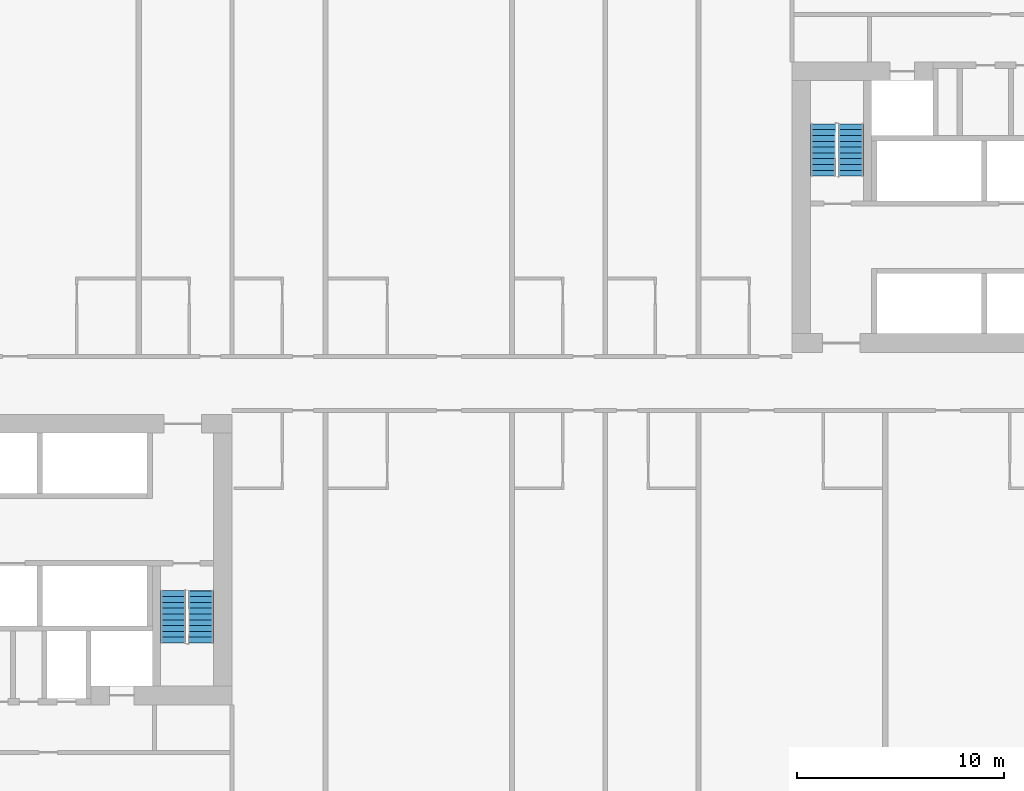
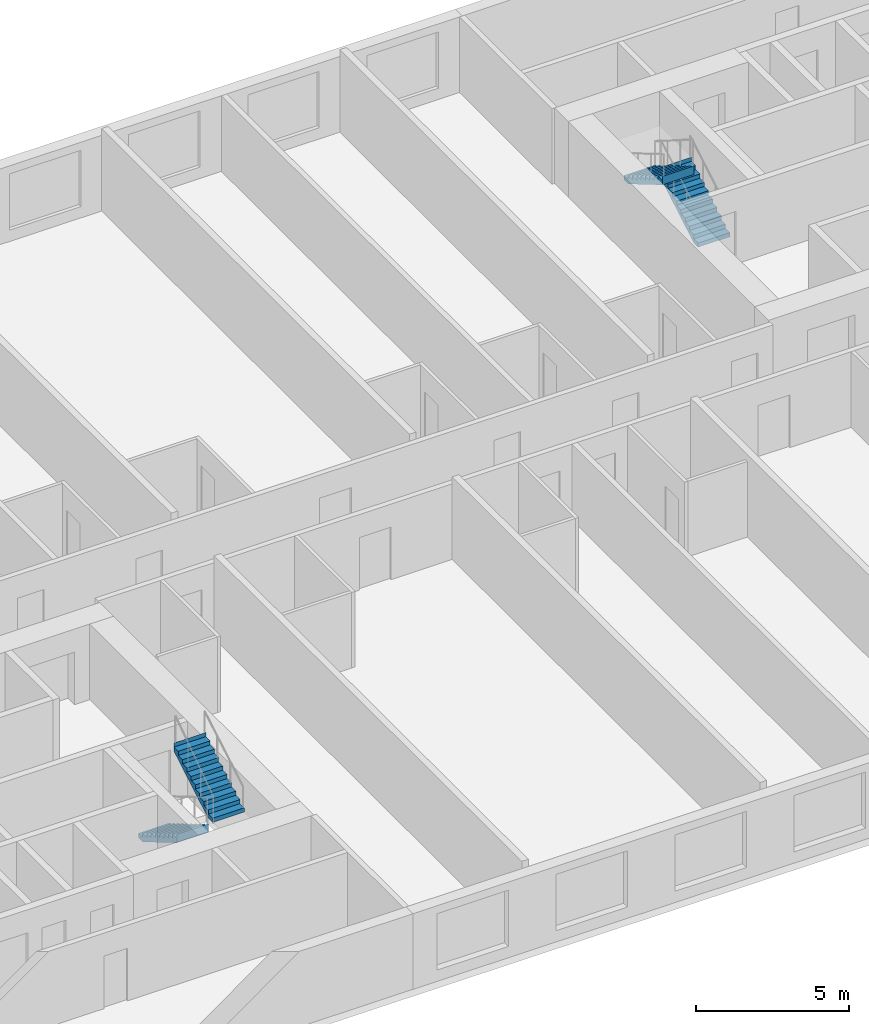
# One storey, part 10 of 12: 4 stair flights, 2 elements without a shape of their own.
"""IFC4 building model written with IfcOpenShell, lengths in metres."""

import ifcopenshell
import ifcopenshell.guid

model = None  # the IFC model being written
_history = None  # IfcOwnerHistory: only IFC2X3 demands one
_inside = {}  # id of a spatial element -> (the spatial element, [elements in it])
_under = {}  # id of a project, library or spatial element -> (it, [spatial elements below it])
_declared = {}  # id of a project -> (the project, [libraries it declares])
_typed = {}  # id of a type object -> (the type object, [elements of that type])
_made_of = {}  # id of a material, layer set ... -> (it, [elements and type objects made of it])


def new_model(schema):
    """Start an empty IFC model of exactly this schema.

    Asked for "IFC4X3", IfcOpenShell would pick the latest addendum, in which some entities
    have other attributes; the version numbers below select the first issue.
    IFC2X3 requires an IfcOwnerHistory on every rooted entity: one is made here for all.
    """
    global model, _history
    if schema == "IFC4X3":
        model = ifcopenshell.file(schema_version=(4, 3, 0, 0))
    else:
        model = ifcopenshell.file(schema=schema)
    _inside.clear()
    _under.clear()
    _declared.clear()
    _typed.clear()
    _made_of.clear()
    _history = None
    if model.schema == "IFC2X3":
        org = make("IfcOrganization", Name="unknown")
        user = make(
            "IfcPersonAndOrganization",
            ThePerson=make("IfcPerson", FamilyName="unknown"),
            TheOrganization=org,
        )
        app = make(
            "IfcApplication",
            ApplicationDeveloper=org,
            Version="unknown",
            ApplicationFullName="unknown",
            ApplicationIdentifier="unknown",
        )
        _history = make(
            "IfcOwnerHistory",
            OwningUser=user,
            OwningApplication=app,
            ChangeAction="ADDED",
            CreationDate=0,
        )
    return model


def make(cls, **values):
    """One entity of the class cls with the attributes given. An attribute that is None is left unset."""
    return model.create_entity(
        cls, **{name: value for name, value in values.items() if value is not None}
    )


def rooted(cls, **values):
    """An entity with a GlobalId (a new one), such as an element, a storey or a relation."""
    return make(cls, GlobalId=ifcopenshell.guid.new(), OwnerHistory=_history, **values)


def si_unit(unit_type, name, prefix=None):
    """IfcSIUnit, for example si_unit("LENGTHUNIT", "METRE", prefix="MILLI")."""
    return make("IfcSIUnit", UnitType=unit_type, Prefix=prefix, Name=name)


def assignment(units):
    """IfcUnitAssignment: the units of a project."""
    return None if units is None else make("IfcUnitAssignment", Units=units)


def point(xyz):
    """IfcCartesianPoint."""
    return None if xyz is None else make("IfcCartesianPoint", Coordinates=xyz)


def direction(xyz):
    """IfcDirection."""
    return None if xyz is None else make("IfcDirection", DirectionRatios=xyz)


def frame(location, z_axis=None, x_axis=None):
    """IfcAxis2Placement3D, a coordinate frame: its origin and axes. An axis left out is left unset."""
    return make(
        "IfcAxis2Placement3D",
        Location=point(location),
        Axis=direction(z_axis),
        RefDirection=direction(x_axis),
    )


def origin():
    """The frame at (0, 0, 0) with its axes left unset."""
    return frame((0.0, 0.0, 0.0))


def place(relative_to, where):
    """IfcLocalPlacement: puts the frame where relative to a parent placement (None: the world)."""
    return make(
        "IfcLocalPlacement", PlacementRelTo=relative_to, RelativePlacement=where
    )


def context(
    kind, dimensions, precision=None, world=None, true_north=None, identifier=None
):
    """IfcGeometricRepresentationContext, for example the 3D "Model" context."""
    return make(
        "IfcGeometricRepresentationContext",
        ContextIdentifier=identifier,
        ContextType=kind,
        CoordinateSpaceDimension=dimensions,
        Precision=precision,
        WorldCoordinateSystem=world,
        TrueNorth=true_north,
    )


def subcontext(parent, identifier, kind, view, scale=None):
    """IfcGeometricRepresentationSubContext, for example "Body" below "Model"."""
    return make(
        "IfcGeometricRepresentationSubContext",
        ContextIdentifier=identifier,
        ContextType=kind,
        ParentContext=parent,
        TargetScale=scale,
        TargetView=view,
    )


def project(units=None, contexts=None):
    """IfcProject with its units and contexts."""
    return rooted(
        "IfcProject",
        Name="project",
        RepresentationContexts=contexts,
        UnitsInContext=assignment(units),
    )


def spatial(cls, under=None, at=None, **own):
    """A site, building, storey or space (cls), placed at a placement, below another one or the project."""
    s = rooted(cls, ObjectPlacement=at, **own)
    if under is not None:
        _under.setdefault(under.id(), (under, []))[1].append(s)
    return s


def faces_of(points, faces, orient=None, outer=None):
    """IfcFace entities. A face is a list of loops; a loop is a list of indices into points, from 0.

    orient and outer hold one flag for each loop. By default every Orientation is true, the
    first loop of a face is its IfcFaceOuterBound and the others are IfcFaceBound.
    """
    made = []
    for i, loops in enumerate(faces):
        bounds = []
        for j, loop in enumerate(loops):
            is_outer = j == 0 if outer is None else outer[i][j]
            bounds.append(
                make(
                    "IfcFaceOuterBound" if is_outer else "IfcFaceBound",
                    Bound=make("IfcPolyLoop", Polygon=[points[k] for k in loop]),
                    Orientation=True if orient is None else orient[i][j],
                )
            )
        made.append(make("IfcFace", Bounds=bounds))
    return made


def faceted_brep(points, faces, orient=None, outer=None, voids=None):
    """IfcFacetedBrep: a solid bounded by flat faces; with voids (closed shells), ...WithVoids."""
    shared = [point(p) for p in points]
    hull = make("IfcClosedShell", CfsFaces=faces_of(shared, faces, orient, outer))
    if voids is None:
        return make("IfcFacetedBrep", Outer=hull)
    return make(
        "IfcFacetedBrepWithVoids",
        Outer=hull,
        Voids=[
            make(cls, CfsFaces=faces_of(shared, fs, o, b)) for cls, fs, o, b in voids
        ],
    )


def shape(context_of_items, identifier, shape_type, items):
    """IfcShapeRepresentation: the items that make up one representation, for example the "Body"."""
    return make(
        "IfcShapeRepresentation",
        ContextOfItems=context_of_items,
        RepresentationIdentifier=identifier,
        RepresentationType=shape_type,
        Items=items,
    )


def material(Name=None, Category=None):
    """IfcMaterial."""
    return make("IfcMaterial", Name=Name, Category=Category)


def made_of(thing, what):
    """Note that an element or type object is made of a material, layer set ...; save() writes the relation."""
    if what is not None:
        _made_of.setdefault(what.id(), (what, []))[1].append(thing)
    return thing


def type_object(cls, material=None, **own):
    """A type object (cls), such as IfcWallType, which elements share."""
    return made_of(rooted(cls, **own), material)


def element(
    cls,
    number,
    at=None,
    inside=None,
    cuts=None,
    type_object=None,
    material=None,
    context=None,
    identifier="Body",
    shape_type=None,
    held_by="IfcProductDefinitionShape",
    body=None,
    shapes=None,
    **own,
):
    """One element of the class cls, such as IfcWall. Its Tag is "e" and its number.

    at: its placement. inside: the storey or other place that contains it. cuts: it is an
    opening in that element (IfcRelVoidsElement). A single representation is given by context,
    identifier, shape_type and body (its items); several are given by shapes. held_by: the class
    of the entity that holds the representations. save() writes the other relations.
    """
    e = rooted(cls, Tag="e%d" % number, ObjectPlacement=at, **own)
    if body is not None:
        shapes = [shape(context, identifier, shape_type, body)]
    if shapes is not None:
        e.Representation = make(held_by, Representations=shapes)
    if inside is not None:
        _inside.setdefault(inside.id(), (inside, []))[1].append(e)
    if cuts is not None:
        rooted(
            "IfcRelVoidsElement", RelatingBuildingElement=cuts, RelatedOpeningElement=e
        )
    if type_object is not None:
        _typed.setdefault(type_object.id(), (type_object, []))[1].append(e)
    return made_of(e, material)


def aggregate(whole, parts):
    """IfcRelAggregates: a whole, such as a stair, and the parts it consists of."""
    return rooted("IfcRelAggregates", RelatingObject=whole, RelatedObjects=parts)


def save(model, path):
    """Write the relations noted so far, then the file.

    IfcRelAggregates (storeys below a building ...), IfcRelContainedInSpatialStructure (elements
    in a storey), IfcRelDefinesByType, IfcRelAssociatesMaterial and IfcRelDeclares: one each for
    every whole, place, type object, material and project.
    """
    for whole, parts in _under.values():
        aggregate(whole, parts)
    for where, things in _inside.values():
        rooted(
            "IfcRelContainedInSpatialStructure",
            RelatedElements=things,
            RelatingStructure=where,
        )
    for kind, things in _typed.values():
        rooted("IfcRelDefinesByType", RelatedObjects=things, RelatingType=kind)
    for what, things in _made_of.values():
        rooted("IfcRelAssociatesMaterial", RelatedObjects=things, RelatingMaterial=what)
    for by, libraries in _declared.values():
        rooted("IfcRelDeclares", RelatingContext=by, RelatedDefinitions=libraries)
    model.write(path)


model = new_model("IFC4")

# Units and contexts
model_context = context("Model", 3, precision=1e-05, world=origin(), true_north=direction((0.0, 1.0)))
body_context = subcontext(model_context, "Body", "Model", "MODEL_VIEW")
ifc_project = project(units=[si_unit("LENGTHUNIT", "METRE"), si_unit("AREAUNIT", "SQUARE_METRE"), si_unit("VOLUMEUNIT", "CUBIC_METRE"), si_unit("PLANEANGLEUNIT", "RADIAN"), si_unit("MASSUNIT", "GRAM", prefix="KILO")], contexts=[model_context])

# Site, building, storey
site_placement = place(None, origin())
site = spatial("IfcSite", under=ifc_project, at=site_placement, CompositionType="ELEMENT")
building_placement = place(site_placement, origin())
building = spatial("IfcBuilding", under=site, at=building_placement, Name="Kajstack Hotel Tower", CompositionType="ELEMENT")
storey_placement = place(building_placement, frame((0.0, 0.0, 66.60009765625)))
storey = spatial("IfcBuildingStorey", under=building, at=storey_placement, Name="L11", CompositionType="ELEMENT", Elevation=66.60009765625)

# Stair, stair flights
ifc_material = material(Name="Concrete C40/50", Category="concrete")
stair_type = type_object("IfcStairType", Name="Exit stair 1200", PredefinedType="HALF_TURN_STAIR", material=ifc_material)
stair_1_placement = place(storey_placement, origin())
stair_1 = element("IfcStair", 1, at=stair_1_placement, inside=storey, type_object=stair_type, Name="L11 stair W2", PredefinedType="HALF_TURN_STAIR")
stair_flight_type = type_object("IfcStairFlightType", Name="Exit stair flight 1200", PredefinedType="STRAIGHT", material=ifc_material)
stair_flight_1_placement = place(storey_placement, frame((-16.35009765625, -10.0, 0.0), z_axis=(0.0, 0.0, 1.0), x_axis=(0.0, -1.0, 0.0)))
stair_flight_1 = element("IfcStairFlight", 2, at=stair_flight_1_placement, type_object=stair_flight_type, Name="W2 flight 1", NumberOfRisers=10, NumberOfTreads=9, PredefinedType="STRAIGHT", RiserHeight=0.165, TreadLength=0.28, context=body_context, shape_type="Brep", body=[
    faceted_brep([(0.295654296875, -0.60009765625, 0.0), (2.5205078125, -0.60009765625, 1.31103515625), (2.5205078125, -0.60009765625, 1.64990234375), (2.52001953125, -0.60009765625, 1.64990234375), (2.52001953125, -0.60009765625, 1.485107421875), (2.239990234375, -0.60009765625, 1.485107421875), (2.239990234375, -0.60009765625, 1.320068359375), (1.9599609375, -0.60009765625, 1.320068359375), (1.9599609375, -0.60009765625, 1.155029296875), (1.679931640625, -0.60009765625, 1.155029296875), (1.679931640625, -0.60009765625, 0.989990234375), (1.39990234375, -0.60009765625, 0.989990234375), (1.39990234375, -0.60009765625, 0.824951171875), (1.1201171875, -0.60009765625, 0.824951171875), (1.1201171875, -0.60009765625, 0.659912109375), (0.840087890625, -0.60009765625, 0.659912109375), (0.840087890625, -0.60009765625, 0.4951171875), (0.56005859375, -0.60009765625, 0.4951171875), (0.56005859375, -0.60009765625, 0.330078125), (0.280029296875, -0.60009765625, 0.330078125), (0.280029296875, -0.60009765625, 0.1650390625), (-0.00048828125, -0.60009765625, 0.1650390625), (-0.00048828125, -0.60009765625, 0.0), (-0.00048828125, 0.60009765625, 0.0), (-0.00048828125, 0.60009765625, 0.1650390625), (0.280029296875, 0.60009765625, 0.1650390625), (0.280029296875, 0.60009765625, 0.330078125), (0.56005859375, 0.60009765625, 0.330078125), (0.56005859375, 0.60009765625, 0.4951171875), (0.840087890625, 0.60009765625, 0.4951171875), (0.840087890625, 0.60009765625, 0.659912109375), (1.1201171875, 0.60009765625, 0.659912109375), (1.1201171875, 0.60009765625, 0.824951171875), (1.39990234375, 0.60009765625, 0.824951171875), (1.39990234375, 0.60009765625, 0.989990234375), (1.679931640625, 0.60009765625, 0.989990234375), (1.679931640625, 0.60009765625, 1.155029296875), (1.9599609375, 0.60009765625, 1.155029296875), (1.9599609375, 0.60009765625, 1.320068359375), (2.239990234375, 0.60009765625, 1.320068359375), (2.239990234375, 0.60009765625, 1.485107421875), (2.52001953125, 0.60009765625, 1.485107421875), (2.52001953125, 0.60009765625, 1.64990234375), (2.5205078125, 0.60009765625, 1.64990234375), (2.5205078125, 0.60009765625, 1.31103515625), (0.295654296875, 0.60009765625, 0.0), (-0.00048828125, -0.300048828125, 0.1650390625), (-0.00048828125, 0.0, 0.1650390625), (-0.00048828125, 0.300048828125, 0.1650390625), (-0.00048828125, 0.300048828125, 0.0), (-0.00048828125, 0.0, 0.0), (-0.00048828125, -0.300048828125, 0.0), (0.280029296875, -0.300048828125, 0.1650390625), (0.280029296875, 0.0, 0.1650390625), (0.280029296875, 0.300048828125, 0.1650390625), (0.280029296875, -0.300048828125, 0.330078125), (0.280029296875, 0.0, 0.330078125), (0.280029296875, 0.300048828125, 0.330078125), (0.56005859375, -0.300048828125, 0.330078125), (0.56005859375, 0.0, 0.330078125), (0.56005859375, 0.300048828125, 0.330078125), (0.56005859375, -0.300048828125, 0.4951171875), (0.56005859375, 0.0, 0.4951171875), (0.56005859375, 0.300048828125, 0.4951171875), (0.840087890625, -0.300048828125, 0.4951171875), (0.840087890625, 0.0, 0.4951171875), (0.840087890625, 0.300048828125, 0.4951171875), (0.840087890625, -0.300048828125, 0.659912109375), (0.840087890625, 0.0, 0.659912109375), (0.840087890625, 0.300048828125, 0.659912109375), (1.1201171875, -0.300048828125, 0.659912109375), (1.1201171875, 0.0, 0.659912109375), (1.1201171875, 0.300048828125, 0.659912109375), (1.1201171875, -0.300048828125, 0.824951171875), (1.1201171875, 0.0, 0.824951171875), (1.1201171875, 0.300048828125, 0.824951171875), (1.39990234375, -0.300048828125, 0.824951171875), (1.39990234375, 0.0, 0.824951171875), (1.39990234375, 0.300048828125, 0.824951171875), (1.39990234375, -0.300048828125, 0.989990234375), (1.39990234375, 0.0, 0.989990234375), (1.39990234375, 0.300048828125, 0.989990234375), (1.679931640625, -0.300048828125, 0.989990234375), (1.679931640625, 0.0, 0.989990234375), (1.679931640625, 0.300048828125, 0.989990234375), (1.679931640625, -0.300048828125, 1.155029296875), (1.679931640625, 0.0, 1.155029296875), (1.679931640625, 0.300048828125, 1.155029296875), (1.9599609375, -0.300048828125, 1.155029296875), (1.9599609375, 0.0, 1.155029296875), (1.9599609375, 0.300048828125, 1.155029296875), (1.9599609375, -0.300048828125, 1.320068359375), (1.9599609375, 0.0, 1.320068359375), (1.9599609375, 0.300048828125, 1.320068359375), (2.239990234375, -0.300048828125, 1.320068359375), (2.239990234375, 0.0, 1.320068359375), (2.239990234375, 0.300048828125, 1.320068359375), (2.239990234375, -0.300048828125, 1.485107421875), (2.239990234375, 0.0, 1.485107421875), (2.239990234375, 0.300048828125, 1.485107421875), (2.52001953125, -0.300048828125, 1.485107421875), (2.52001953125, 0.0, 1.485107421875), (2.52001953125, 0.300048828125, 1.485107421875), (2.52001953125, -0.300048828125, 1.64990234375), (2.52001953125, 0.0, 1.64990234375), (2.52001953125, 0.300048828125, 1.64990234375), (2.5205078125, -0.300048828125, 1.64990234375), (2.5205078125, 0.0, 1.64990234375), (2.5205078125, 0.300048828125, 1.64990234375), (2.5205078125, -0.300048828125, 1.31103515625), (2.5205078125, 0.0, 1.31103515625), (2.5205078125, 0.300048828125, 1.31103515625), (0.295654296875, -0.300048828125, 0.0), (0.295654296875, 0.0, 0.0), (0.295654296875, 0.300048828125, 0.0)], [[[0, 1, 2, 3, 4, 5, 6, 7, 8, 9, 10, 11, 12, 13, 14, 15, 16, 17, 18, 19, 20, 21, 22]], [[23, 24, 25, 26, 27, 28, 29, 30, 31, 32, 33, 34, 35, 36, 37, 38, 39, 40, 41, 42, 43, 44, 45]], [[21, 46, 47, 48, 24, 23, 49, 50, 51, 22]], [[20, 52, 53, 54, 25, 24, 48, 47, 46, 21]], [[19, 55, 56, 57, 26, 25, 54, 53, 52, 20]], [[18, 58, 59, 60, 27, 26, 57, 56, 55, 19]], [[17, 61, 62, 63, 28, 27, 60, 59, 58, 18]], [[16, 64, 65, 66, 29, 28, 63, 62, 61, 17]], [[15, 67, 68, 69, 30, 29, 66, 65, 64, 16]], [[14, 70, 71, 72, 31, 30, 69, 68, 67, 15]], [[13, 73, 74, 75, 32, 31, 72, 71, 70, 14]], [[12, 76, 77, 78, 33, 32, 75, 74, 73, 13]], [[11, 79, 80, 81, 34, 33, 78, 77, 76, 12]], [[10, 82, 83, 84, 35, 34, 81, 80, 79, 11]], [[9, 85, 86, 87, 36, 35, 84, 83, 82, 10]], [[8, 88, 89, 90, 37, 36, 87, 86, 85, 9]], [[7, 91, 92, 93, 38, 37, 90, 89, 88, 8]], [[6, 94, 95, 96, 39, 38, 93, 92, 91, 7]], [[5, 97, 98, 99, 40, 39, 96, 95, 94, 6]], [[4, 100, 101, 102, 41, 40, 99, 98, 97, 5]], [[3, 103, 104, 105, 42, 41, 102, 101, 100, 4]], [[2, 106, 107, 108, 43, 42, 105, 104, 103, 3]], [[1, 109, 110, 111, 44, 43, 108, 107, 106, 2]], [[0, 112, 113, 114, 45, 44, 111, 110, 109, 1]], [[22, 51, 50, 49, 23, 45, 114, 113, 112, 0]]]),
])
stair_flight_2_placement = place(storey_placement, frame((-15.0, -12.52001953125, 1.64990234375), z_axis=(0.0, 0.0, 1.0), x_axis=(0.0, 1.0, 0.0)))
stair_flight_2 = element("IfcStairFlight", 3, at=stair_flight_2_placement, type_object=stair_flight_type, Name="W2 flight 2", NumberOfRisers=10, NumberOfTreads=9, PredefinedType="STRAIGHT", RiserHeight=0.165, TreadLength=0.28, context=body_context, shape_type="Brep", body=[
    faceted_brep([(0.295654296875, -0.60009765625, 0.0), (2.5205078125, -0.60009765625, 1.31103515625), (2.5205078125, -0.60009765625, 1.64990234375), (2.52001953125, -0.60009765625, 1.64990234375), (2.52001953125, -0.60009765625, 1.485107421875), (2.239990234375, -0.60009765625, 1.485107421875), (2.239990234375, -0.60009765625, 1.320068359375), (1.9599609375, -0.60009765625, 1.320068359375), (1.9599609375, -0.60009765625, 1.155029296875), (1.679931640625, -0.60009765625, 1.155029296875), (1.679931640625, -0.60009765625, 0.989990234375), (1.39990234375, -0.60009765625, 0.989990234375), (1.39990234375, -0.60009765625, 0.824951171875), (1.1201171875, -0.60009765625, 0.824951171875), (1.1201171875, -0.60009765625, 0.659912109375), (0.840087890625, -0.60009765625, 0.659912109375), (0.840087890625, -0.60009765625, 0.4951171875), (0.56005859375, -0.60009765625, 0.4951171875), (0.56005859375, -0.60009765625, 0.330078125), (0.280029296875, -0.60009765625, 0.330078125), (0.280029296875, -0.60009765625, 0.1650390625), (-0.00048828125, -0.60009765625, 0.1650390625), (-0.00048828125, -0.60009765625, 0.0), (-0.00048828125, 0.60009765625, 0.0), (-0.00048828125, 0.60009765625, 0.1650390625), (0.280029296875, 0.60009765625, 0.1650390625), (0.280029296875, 0.60009765625, 0.330078125), (0.56005859375, 0.60009765625, 0.330078125), (0.56005859375, 0.60009765625, 0.4951171875), (0.840087890625, 0.60009765625, 0.4951171875), (0.840087890625, 0.60009765625, 0.659912109375), (1.1201171875, 0.60009765625, 0.659912109375), (1.1201171875, 0.60009765625, 0.824951171875), (1.39990234375, 0.60009765625, 0.824951171875), (1.39990234375, 0.60009765625, 0.989990234375), (1.679931640625, 0.60009765625, 0.989990234375), (1.679931640625, 0.60009765625, 1.155029296875), (1.9599609375, 0.60009765625, 1.155029296875), (1.9599609375, 0.60009765625, 1.320068359375), (2.239990234375, 0.60009765625, 1.320068359375), (2.239990234375, 0.60009765625, 1.485107421875), (2.52001953125, 0.60009765625, 1.485107421875), (2.52001953125, 0.60009765625, 1.64990234375), (2.5205078125, 0.60009765625, 1.64990234375), (2.5205078125, 0.60009765625, 1.31103515625), (0.295654296875, 0.60009765625, 0.0), (-0.00048828125, -0.300048828125, 0.1650390625), (-0.00048828125, 0.0, 0.1650390625), (-0.00048828125, 0.300048828125, 0.1650390625), (-0.00048828125, 0.300048828125, 0.0), (-0.00048828125, 0.0, 0.0), (-0.00048828125, -0.300048828125, 0.0), (0.280029296875, -0.300048828125, 0.1650390625), (0.280029296875, 0.0, 0.1650390625), (0.280029296875, 0.300048828125, 0.1650390625), (0.280029296875, -0.300048828125, 0.330078125), (0.280029296875, 0.0, 0.330078125), (0.280029296875, 0.300048828125, 0.330078125), (0.56005859375, -0.300048828125, 0.330078125), (0.56005859375, 0.0, 0.330078125), (0.56005859375, 0.300048828125, 0.330078125), (0.56005859375, -0.300048828125, 0.4951171875), (0.56005859375, 0.0, 0.4951171875), (0.56005859375, 0.300048828125, 0.4951171875), (0.840087890625, -0.300048828125, 0.4951171875), (0.840087890625, 0.0, 0.4951171875), (0.840087890625, 0.300048828125, 0.4951171875), (0.840087890625, -0.300048828125, 0.659912109375), (0.840087890625, 0.0, 0.659912109375), (0.840087890625, 0.300048828125, 0.659912109375), (1.1201171875, -0.300048828125, 0.659912109375), (1.1201171875, 0.0, 0.659912109375), (1.1201171875, 0.300048828125, 0.659912109375), (1.1201171875, -0.300048828125, 0.824951171875), (1.1201171875, 0.0, 0.824951171875), (1.1201171875, 0.300048828125, 0.824951171875), (1.39990234375, -0.300048828125, 0.824951171875), (1.39990234375, 0.0, 0.824951171875), (1.39990234375, 0.300048828125, 0.824951171875), (1.39990234375, -0.300048828125, 0.989990234375), (1.39990234375, 0.0, 0.989990234375), (1.39990234375, 0.300048828125, 0.989990234375), (1.679931640625, -0.300048828125, 0.989990234375), (1.679931640625, 0.0, 0.989990234375), (1.679931640625, 0.300048828125, 0.989990234375), (1.679931640625, -0.300048828125, 1.155029296875), (1.679931640625, 0.0, 1.155029296875), (1.679931640625, 0.300048828125, 1.155029296875), (1.9599609375, -0.300048828125, 1.155029296875), (1.9599609375, 0.0, 1.155029296875), (1.9599609375, 0.300048828125, 1.155029296875), (1.9599609375, -0.300048828125, 1.320068359375), (1.9599609375, 0.0, 1.320068359375), (1.9599609375, 0.300048828125, 1.320068359375), (2.239990234375, -0.300048828125, 1.320068359375), (2.239990234375, 0.0, 1.320068359375), (2.239990234375, 0.300048828125, 1.320068359375), (2.239990234375, -0.300048828125, 1.485107421875), (2.239990234375, 0.0, 1.485107421875), (2.239990234375, 0.300048828125, 1.485107421875), (2.52001953125, -0.300048828125, 1.485107421875), (2.52001953125, 0.0, 1.485107421875), (2.52001953125, 0.300048828125, 1.485107421875), (2.52001953125, -0.300048828125, 1.64990234375), (2.52001953125, 0.0, 1.64990234375), (2.52001953125, 0.300048828125, 1.64990234375), (2.5205078125, -0.300048828125, 1.64990234375), (2.5205078125, 0.0, 1.64990234375), (2.5205078125, 0.300048828125, 1.64990234375), (2.5205078125, -0.300048828125, 1.31103515625), (2.5205078125, 0.0, 1.31103515625), (2.5205078125, 0.300048828125, 1.31103515625), (0.295654296875, -0.300048828125, 0.0), (0.295654296875, 0.0, 0.0), (0.295654296875, 0.300048828125, 0.0)], [[[0, 1, 2, 3, 4, 5, 6, 7, 8, 9, 10, 11, 12, 13, 14, 15, 16, 17, 18, 19, 20, 21, 22]], [[23, 24, 25, 26, 27, 28, 29, 30, 31, 32, 33, 34, 35, 36, 37, 38, 39, 40, 41, 42, 43, 44, 45]], [[21, 46, 47, 48, 24, 23, 49, 50, 51, 22]], [[20, 52, 53, 54, 25, 24, 48, 47, 46, 21]], [[19, 55, 56, 57, 26, 25, 54, 53, 52, 20]], [[18, 58, 59, 60, 27, 26, 57, 56, 55, 19]], [[17, 61, 62, 63, 28, 27, 60, 59, 58, 18]], [[16, 64, 65, 66, 29, 28, 63, 62, 61, 17]], [[15, 67, 68, 69, 30, 29, 66, 65, 64, 16]], [[14, 70, 71, 72, 31, 30, 69, 68, 67, 15]], [[13, 73, 74, 75, 32, 31, 72, 71, 70, 14]], [[12, 76, 77, 78, 33, 32, 75, 74, 73, 13]], [[11, 79, 80, 81, 34, 33, 78, 77, 76, 12]], [[10, 82, 83, 84, 35, 34, 81, 80, 79, 11]], [[9, 85, 86, 87, 36, 35, 84, 83, 82, 10]], [[8, 88, 89, 90, 37, 36, 87, 86, 85, 9]], [[7, 91, 92, 93, 38, 37, 90, 89, 88, 8]], [[6, 94, 95, 96, 39, 38, 93, 92, 91, 7]], [[5, 97, 98, 99, 40, 39, 96, 95, 94, 6]], [[4, 100, 101, 102, 41, 40, 99, 98, 97, 5]], [[3, 103, 104, 105, 42, 41, 102, 101, 100, 4]], [[2, 106, 107, 108, 43, 42, 105, 104, 103, 3]], [[1, 109, 110, 111, 44, 43, 108, 107, 106, 2]], [[0, 112, 113, 114, 45, 44, 111, 110, 109, 1]], [[22, 51, 50, 49, 23, 45, 114, 113, 112, 0]]]),
])
aggregate(stair_1, [stair_flight_1, stair_flight_2])

stair_2_placement = place(storey_placement, origin())
stair_2 = element("IfcStair", 4, at=stair_2_placement, inside=storey, type_object=stair_type, Name="L11 stair E2", PredefinedType="HALF_TURN_STAIR")
stair_flight_3_placement = place(storey_placement, frame((16.35009765625, 10.0, 0.0), z_axis=(0.0, 0.0, 1.0), x_axis=(0.0, 1.0, 0.0)))
stair_flight_3 = element("IfcStairFlight", 5, at=stair_flight_3_placement, type_object=stair_flight_type, Name="E2 flight 1", NumberOfRisers=10, NumberOfTreads=9, PredefinedType="STRAIGHT", RiserHeight=0.165, TreadLength=0.28, context=body_context, shape_type="Brep", body=[
    faceted_brep([(0.295654296875, -0.60009765625, 0.0), (2.5205078125, -0.60009765625, 1.31103515625), (2.5205078125, -0.60009765625, 1.64990234375), (2.52001953125, -0.60009765625, 1.64990234375), (2.52001953125, -0.60009765625, 1.485107421875), (2.239990234375, -0.60009765625, 1.485107421875), (2.239990234375, -0.60009765625, 1.320068359375), (1.9599609375, -0.60009765625, 1.320068359375), (1.9599609375, -0.60009765625, 1.155029296875), (1.679931640625, -0.60009765625, 1.155029296875), (1.679931640625, -0.60009765625, 0.989990234375), (1.39990234375, -0.60009765625, 0.989990234375), (1.39990234375, -0.60009765625, 0.824951171875), (1.1201171875, -0.60009765625, 0.824951171875), (1.1201171875, -0.60009765625, 0.659912109375), (0.840087890625, -0.60009765625, 0.659912109375), (0.840087890625, -0.60009765625, 0.4951171875), (0.56005859375, -0.60009765625, 0.4951171875), (0.56005859375, -0.60009765625, 0.330078125), (0.280029296875, -0.60009765625, 0.330078125), (0.280029296875, -0.60009765625, 0.1650390625), (-0.00048828125, -0.60009765625, 0.1650390625), (-0.00048828125, -0.60009765625, 0.0), (-0.00048828125, 0.60009765625, 0.0), (-0.00048828125, 0.60009765625, 0.1650390625), (0.280029296875, 0.60009765625, 0.1650390625), (0.280029296875, 0.60009765625, 0.330078125), (0.56005859375, 0.60009765625, 0.330078125), (0.56005859375, 0.60009765625, 0.4951171875), (0.840087890625, 0.60009765625, 0.4951171875), (0.840087890625, 0.60009765625, 0.659912109375), (1.1201171875, 0.60009765625, 0.659912109375), (1.1201171875, 0.60009765625, 0.824951171875), (1.39990234375, 0.60009765625, 0.824951171875), (1.39990234375, 0.60009765625, 0.989990234375), (1.679931640625, 0.60009765625, 0.989990234375), (1.679931640625, 0.60009765625, 1.155029296875), (1.9599609375, 0.60009765625, 1.155029296875), (1.9599609375, 0.60009765625, 1.320068359375), (2.239990234375, 0.60009765625, 1.320068359375), (2.239990234375, 0.60009765625, 1.485107421875), (2.52001953125, 0.60009765625, 1.485107421875), (2.52001953125, 0.60009765625, 1.64990234375), (2.5205078125, 0.60009765625, 1.64990234375), (2.5205078125, 0.60009765625, 1.31103515625), (0.295654296875, 0.60009765625, 0.0), (-0.00048828125, -0.300048828125, 0.1650390625), (-0.00048828125, 0.0, 0.1650390625), (-0.00048828125, 0.300048828125, 0.1650390625), (-0.00048828125, 0.300048828125, 0.0), (-0.00048828125, 0.0, 0.0), (-0.00048828125, -0.300048828125, 0.0), (0.280029296875, -0.300048828125, 0.1650390625), (0.280029296875, 0.0, 0.1650390625), (0.280029296875, 0.300048828125, 0.1650390625), (0.280029296875, -0.300048828125, 0.330078125), (0.280029296875, 0.0, 0.330078125), (0.280029296875, 0.300048828125, 0.330078125), (0.56005859375, -0.300048828125, 0.330078125), (0.56005859375, 0.0, 0.330078125), (0.56005859375, 0.300048828125, 0.330078125), (0.56005859375, -0.300048828125, 0.4951171875), (0.56005859375, 0.0, 0.4951171875), (0.56005859375, 0.300048828125, 0.4951171875), (0.840087890625, -0.300048828125, 0.4951171875), (0.840087890625, 0.0, 0.4951171875), (0.840087890625, 0.300048828125, 0.4951171875), (0.840087890625, -0.300048828125, 0.659912109375), (0.840087890625, 0.0, 0.659912109375), (0.840087890625, 0.300048828125, 0.659912109375), (1.1201171875, -0.300048828125, 0.659912109375), (1.1201171875, 0.0, 0.659912109375), (1.1201171875, 0.300048828125, 0.659912109375), (1.1201171875, -0.300048828125, 0.824951171875), (1.1201171875, 0.0, 0.824951171875), (1.1201171875, 0.300048828125, 0.824951171875), (1.39990234375, -0.300048828125, 0.824951171875), (1.39990234375, 0.0, 0.824951171875), (1.39990234375, 0.300048828125, 0.824951171875), (1.39990234375, -0.300048828125, 0.989990234375), (1.39990234375, 0.0, 0.989990234375), (1.39990234375, 0.300048828125, 0.989990234375), (1.679931640625, -0.300048828125, 0.989990234375), (1.679931640625, 0.0, 0.989990234375), (1.679931640625, 0.300048828125, 0.989990234375), (1.679931640625, -0.300048828125, 1.155029296875), (1.679931640625, 0.0, 1.155029296875), (1.679931640625, 0.300048828125, 1.155029296875), (1.9599609375, -0.300048828125, 1.155029296875), (1.9599609375, 0.0, 1.155029296875), (1.9599609375, 0.300048828125, 1.155029296875), (1.9599609375, -0.300048828125, 1.320068359375), (1.9599609375, 0.0, 1.320068359375), (1.9599609375, 0.300048828125, 1.320068359375), (2.239990234375, -0.300048828125, 1.320068359375), (2.239990234375, 0.0, 1.320068359375), (2.239990234375, 0.300048828125, 1.320068359375), (2.239990234375, -0.300048828125, 1.485107421875), (2.239990234375, 0.0, 1.485107421875), (2.239990234375, 0.300048828125, 1.485107421875), (2.52001953125, -0.300048828125, 1.485107421875), (2.52001953125, 0.0, 1.485107421875), (2.52001953125, 0.300048828125, 1.485107421875), (2.52001953125, -0.300048828125, 1.64990234375), (2.52001953125, 0.0, 1.64990234375), (2.52001953125, 0.300048828125, 1.64990234375), (2.5205078125, -0.300048828125, 1.64990234375), (2.5205078125, 0.0, 1.64990234375), (2.5205078125, 0.300048828125, 1.64990234375), (2.5205078125, -0.300048828125, 1.31103515625), (2.5205078125, 0.0, 1.31103515625), (2.5205078125, 0.300048828125, 1.31103515625), (0.295654296875, -0.300048828125, 0.0), (0.295654296875, 0.0, 0.0), (0.295654296875, 0.300048828125, 0.0)], [[[0, 1, 2, 3, 4, 5, 6, 7, 8, 9, 10, 11, 12, 13, 14, 15, 16, 17, 18, 19, 20, 21, 22]], [[23, 24, 25, 26, 27, 28, 29, 30, 31, 32, 33, 34, 35, 36, 37, 38, 39, 40, 41, 42, 43, 44, 45]], [[21, 46, 47, 48, 24, 23, 49, 50, 51, 22]], [[20, 52, 53, 54, 25, 24, 48, 47, 46, 21]], [[19, 55, 56, 57, 26, 25, 54, 53, 52, 20]], [[18, 58, 59, 60, 27, 26, 57, 56, 55, 19]], [[17, 61, 62, 63, 28, 27, 60, 59, 58, 18]], [[16, 64, 65, 66, 29, 28, 63, 62, 61, 17]], [[15, 67, 68, 69, 30, 29, 66, 65, 64, 16]], [[14, 70, 71, 72, 31, 30, 69, 68, 67, 15]], [[13, 73, 74, 75, 32, 31, 72, 71, 70, 14]], [[12, 76, 77, 78, 33, 32, 75, 74, 73, 13]], [[11, 79, 80, 81, 34, 33, 78, 77, 76, 12]], [[10, 82, 83, 84, 35, 34, 81, 80, 79, 11]], [[9, 85, 86, 87, 36, 35, 84, 83, 82, 10]], [[8, 88, 89, 90, 37, 36, 87, 86, 85, 9]], [[7, 91, 92, 93, 38, 37, 90, 89, 88, 8]], [[6, 94, 95, 96, 39, 38, 93, 92, 91, 7]], [[5, 97, 98, 99, 40, 39, 96, 95, 94, 6]], [[4, 100, 101, 102, 41, 40, 99, 98, 97, 5]], [[3, 103, 104, 105, 42, 41, 102, 101, 100, 4]], [[2, 106, 107, 108, 43, 42, 105, 104, 103, 3]], [[1, 109, 110, 111, 44, 43, 108, 107, 106, 2]], [[0, 112, 113, 114, 45, 44, 111, 110, 109, 1]], [[22, 51, 50, 49, 23, 45, 114, 113, 112, 0]]]),
])
stair_flight_4_placement = place(storey_placement, frame((15.0, 12.52001953125, 1.64990234375), z_axis=(0.0, 0.0, 1.0), x_axis=(0.0, -1.0, 0.0)))
stair_flight_4 = element("IfcStairFlight", 6, at=stair_flight_4_placement, type_object=stair_flight_type, Name="E2 flight 2", NumberOfRisers=10, NumberOfTreads=9, PredefinedType="STRAIGHT", RiserHeight=0.165, TreadLength=0.28, context=body_context, shape_type="Brep", body=[
    faceted_brep([(0.295654296875, -0.60009765625, 0.0), (2.5205078125, -0.60009765625, 1.31103515625), (2.5205078125, -0.60009765625, 1.64990234375), (2.52001953125, -0.60009765625, 1.64990234375), (2.52001953125, -0.60009765625, 1.485107421875), (2.239990234375, -0.60009765625, 1.485107421875), (2.239990234375, -0.60009765625, 1.320068359375), (1.9599609375, -0.60009765625, 1.320068359375), (1.9599609375, -0.60009765625, 1.155029296875), (1.679931640625, -0.60009765625, 1.155029296875), (1.679931640625, -0.60009765625, 0.989990234375), (1.39990234375, -0.60009765625, 0.989990234375), (1.39990234375, -0.60009765625, 0.824951171875), (1.1201171875, -0.60009765625, 0.824951171875), (1.1201171875, -0.60009765625, 0.659912109375), (0.840087890625, -0.60009765625, 0.659912109375), (0.840087890625, -0.60009765625, 0.4951171875), (0.56005859375, -0.60009765625, 0.4951171875), (0.56005859375, -0.60009765625, 0.330078125), (0.280029296875, -0.60009765625, 0.330078125), (0.280029296875, -0.60009765625, 0.1650390625), (-0.00048828125, -0.60009765625, 0.1650390625), (-0.00048828125, -0.60009765625, 0.0), (-0.00048828125, 0.60009765625, 0.0), (-0.00048828125, 0.60009765625, 0.1650390625), (0.280029296875, 0.60009765625, 0.1650390625), (0.280029296875, 0.60009765625, 0.330078125), (0.56005859375, 0.60009765625, 0.330078125), (0.56005859375, 0.60009765625, 0.4951171875), (0.840087890625, 0.60009765625, 0.4951171875), (0.840087890625, 0.60009765625, 0.659912109375), (1.1201171875, 0.60009765625, 0.659912109375), (1.1201171875, 0.60009765625, 0.824951171875), (1.39990234375, 0.60009765625, 0.824951171875), (1.39990234375, 0.60009765625, 0.989990234375), (1.679931640625, 0.60009765625, 0.989990234375), (1.679931640625, 0.60009765625, 1.155029296875), (1.9599609375, 0.60009765625, 1.155029296875), (1.9599609375, 0.60009765625, 1.320068359375), (2.239990234375, 0.60009765625, 1.320068359375), (2.239990234375, 0.60009765625, 1.485107421875), (2.52001953125, 0.60009765625, 1.485107421875), (2.52001953125, 0.60009765625, 1.64990234375), (2.5205078125, 0.60009765625, 1.64990234375), (2.5205078125, 0.60009765625, 1.31103515625), (0.295654296875, 0.60009765625, 0.0), (-0.00048828125, -0.300048828125, 0.1650390625), (-0.00048828125, 0.0, 0.1650390625), (-0.00048828125, 0.300048828125, 0.1650390625), (-0.00048828125, 0.300048828125, 0.0), (-0.00048828125, 0.0, 0.0), (-0.00048828125, -0.300048828125, 0.0), (0.280029296875, -0.300048828125, 0.1650390625), (0.280029296875, 0.0, 0.1650390625), (0.280029296875, 0.300048828125, 0.1650390625), (0.280029296875, -0.300048828125, 0.330078125), (0.280029296875, 0.0, 0.330078125), (0.280029296875, 0.300048828125, 0.330078125), (0.56005859375, -0.300048828125, 0.330078125), (0.56005859375, 0.0, 0.330078125), (0.56005859375, 0.300048828125, 0.330078125), (0.56005859375, -0.300048828125, 0.4951171875), (0.56005859375, 0.0, 0.4951171875), (0.56005859375, 0.300048828125, 0.4951171875), (0.840087890625, -0.300048828125, 0.4951171875), (0.840087890625, 0.0, 0.4951171875), (0.840087890625, 0.300048828125, 0.4951171875), (0.840087890625, -0.300048828125, 0.659912109375), (0.840087890625, 0.0, 0.659912109375), (0.840087890625, 0.300048828125, 0.659912109375), (1.1201171875, -0.300048828125, 0.659912109375), (1.1201171875, 0.0, 0.659912109375), (1.1201171875, 0.300048828125, 0.659912109375), (1.1201171875, -0.300048828125, 0.824951171875), (1.1201171875, 0.0, 0.824951171875), (1.1201171875, 0.300048828125, 0.824951171875), (1.39990234375, -0.300048828125, 0.824951171875), (1.39990234375, 0.0, 0.824951171875), (1.39990234375, 0.300048828125, 0.824951171875), (1.39990234375, -0.300048828125, 0.989990234375), (1.39990234375, 0.0, 0.989990234375), (1.39990234375, 0.300048828125, 0.989990234375), (1.679931640625, -0.300048828125, 0.989990234375), (1.679931640625, 0.0, 0.989990234375), (1.679931640625, 0.300048828125, 0.989990234375), (1.679931640625, -0.300048828125, 1.155029296875), (1.679931640625, 0.0, 1.155029296875), (1.679931640625, 0.300048828125, 1.155029296875), (1.9599609375, -0.300048828125, 1.155029296875), (1.9599609375, 0.0, 1.155029296875), (1.9599609375, 0.300048828125, 1.155029296875), (1.9599609375, -0.300048828125, 1.320068359375), (1.9599609375, 0.0, 1.320068359375), (1.9599609375, 0.300048828125, 1.320068359375), (2.239990234375, -0.300048828125, 1.320068359375), (2.239990234375, 0.0, 1.320068359375), (2.239990234375, 0.300048828125, 1.320068359375), (2.239990234375, -0.300048828125, 1.485107421875), (2.239990234375, 0.0, 1.485107421875), (2.239990234375, 0.300048828125, 1.485107421875), (2.52001953125, -0.300048828125, 1.485107421875), (2.52001953125, 0.0, 1.485107421875), (2.52001953125, 0.300048828125, 1.485107421875), (2.52001953125, -0.300048828125, 1.64990234375), (2.52001953125, 0.0, 1.64990234375), (2.52001953125, 0.300048828125, 1.64990234375), (2.5205078125, -0.300048828125, 1.64990234375), (2.5205078125, 0.0, 1.64990234375), (2.5205078125, 0.300048828125, 1.64990234375), (2.5205078125, -0.300048828125, 1.31103515625), (2.5205078125, 0.0, 1.31103515625), (2.5205078125, 0.300048828125, 1.31103515625), (0.295654296875, -0.300048828125, 0.0), (0.295654296875, 0.0, 0.0), (0.295654296875, 0.300048828125, 0.0)], [[[0, 1, 2, 3, 4, 5, 6, 7, 8, 9, 10, 11, 12, 13, 14, 15, 16, 17, 18, 19, 20, 21, 22]], [[23, 24, 25, 26, 27, 28, 29, 30, 31, 32, 33, 34, 35, 36, 37, 38, 39, 40, 41, 42, 43, 44, 45]], [[21, 46, 47, 48, 24, 23, 49, 50, 51, 22]], [[20, 52, 53, 54, 25, 24, 48, 47, 46, 21]], [[19, 55, 56, 57, 26, 25, 54, 53, 52, 20]], [[18, 58, 59, 60, 27, 26, 57, 56, 55, 19]], [[17, 61, 62, 63, 28, 27, 60, 59, 58, 18]], [[16, 64, 65, 66, 29, 28, 63, 62, 61, 17]], [[15, 67, 68, 69, 30, 29, 66, 65, 64, 16]], [[14, 70, 71, 72, 31, 30, 69, 68, 67, 15]], [[13, 73, 74, 75, 32, 31, 72, 71, 70, 14]], [[12, 76, 77, 78, 33, 32, 75, 74, 73, 13]], [[11, 79, 80, 81, 34, 33, 78, 77, 76, 12]], [[10, 82, 83, 84, 35, 34, 81, 80, 79, 11]], [[9, 85, 86, 87, 36, 35, 84, 83, 82, 10]], [[8, 88, 89, 90, 37, 36, 87, 86, 85, 9]], [[7, 91, 92, 93, 38, 37, 90, 89, 88, 8]], [[6, 94, 95, 96, 39, 38, 93, 92, 91, 7]], [[5, 97, 98, 99, 40, 39, 96, 95, 94, 6]], [[4, 100, 101, 102, 41, 40, 99, 98, 97, 5]], [[3, 103, 104, 105, 42, 41, 102, 101, 100, 4]], [[2, 106, 107, 108, 43, 42, 105, 104, 103, 3]], [[1, 109, 110, 111, 44, 43, 108, 107, 106, 2]], [[0, 112, 113, 114, 45, 44, 111, 110, 109, 1]], [[22, 51, 50, 49, 23, 45, 114, 113, 112, 0]]]),
])
aggregate(stair_2, [stair_flight_3, stair_flight_4])

save(model, "model.ifc")
